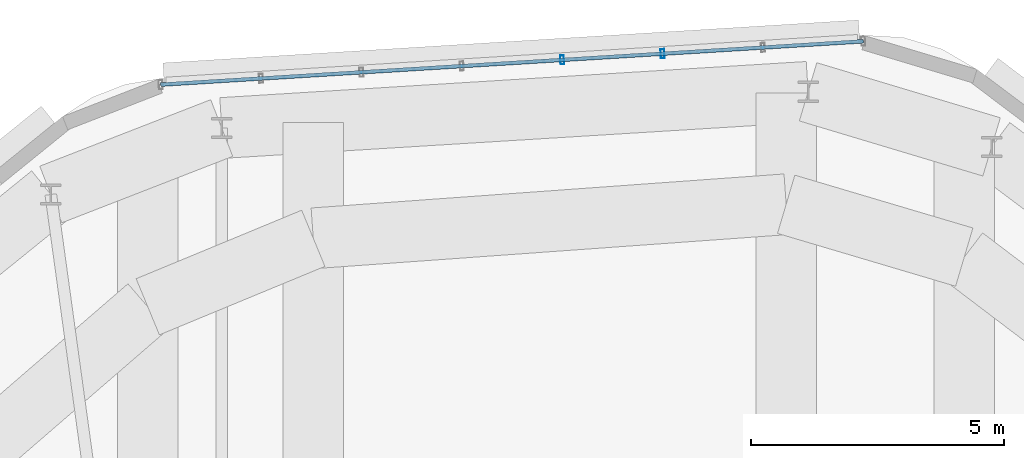
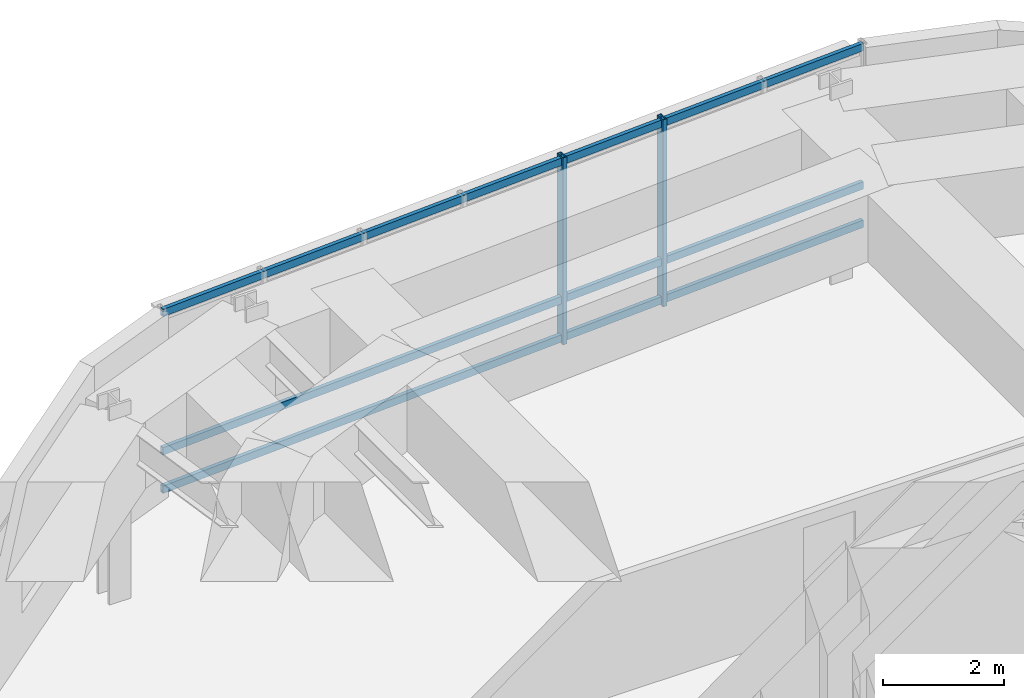
# One storey, part 11 of 17: 5 members, 1 element without a shape of its own.
"""IFC4 building model written with IfcOpenShell, lengths in metres."""

import ifcopenshell
import ifcopenshell.guid

model = None  # the IFC model being written
_history = None  # IfcOwnerHistory: only IFC2X3 demands one
_inside = {}  # id of a spatial element -> (the spatial element, [elements in it])
_under = {}  # id of a project, library or spatial element -> (it, [spatial elements below it])
_declared = {}  # id of a project -> (the project, [libraries it declares])
_typed = {}  # id of a type object -> (the type object, [elements of that type])
_made_of = {}  # id of a material, layer set ... -> (it, [elements and type objects made of it])


def new_model(schema):
    """Start an empty IFC model of exactly this schema.

    Asked for "IFC4X3", IfcOpenShell would pick the latest addendum, in which some entities
    have other attributes; the version numbers below select the first issue.
    IFC2X3 requires an IfcOwnerHistory on every rooted entity: one is made here for all.
    """
    global model, _history
    if schema == "IFC4X3":
        model = ifcopenshell.file(schema_version=(4, 3, 0, 0))
    else:
        model = ifcopenshell.file(schema=schema)
    _inside.clear()
    _under.clear()
    _declared.clear()
    _typed.clear()
    _made_of.clear()
    _history = None
    if model.schema == "IFC2X3":
        org = make("IfcOrganization", Name="unknown")
        user = make(
            "IfcPersonAndOrganization",
            ThePerson=make("IfcPerson", FamilyName="unknown"),
            TheOrganization=org,
        )
        app = make(
            "IfcApplication",
            ApplicationDeveloper=org,
            Version="unknown",
            ApplicationFullName="unknown",
            ApplicationIdentifier="unknown",
        )
        _history = make(
            "IfcOwnerHistory",
            OwningUser=user,
            OwningApplication=app,
            ChangeAction="ADDED",
            CreationDate=0,
        )
    return model


def make(cls, **values):
    """One entity of the class cls with the attributes given. An attribute that is None is left unset."""
    return model.create_entity(
        cls, **{name: value for name, value in values.items() if value is not None}
    )


def rooted(cls, **values):
    """An entity with a GlobalId (a new one), such as an element, a storey or a relation."""
    return make(cls, GlobalId=ifcopenshell.guid.new(), OwnerHistory=_history, **values)


def si_unit(unit_type, name, prefix=None):
    """IfcSIUnit, for example si_unit("LENGTHUNIT", "METRE", prefix="MILLI")."""
    return make("IfcSIUnit", UnitType=unit_type, Prefix=prefix, Name=name)


def assignment(units):
    """IfcUnitAssignment: the units of a project."""
    return None if units is None else make("IfcUnitAssignment", Units=units)


def point(xyz):
    """IfcCartesianPoint."""
    return None if xyz is None else make("IfcCartesianPoint", Coordinates=xyz)


def direction(xyz):
    """IfcDirection."""
    return None if xyz is None else make("IfcDirection", DirectionRatios=xyz)


def frame(location, z_axis=None, x_axis=None):
    """IfcAxis2Placement3D, a coordinate frame: its origin and axes. An axis left out is left unset."""
    return make(
        "IfcAxis2Placement3D",
        Location=point(location),
        Axis=direction(z_axis),
        RefDirection=direction(x_axis),
    )


def frame_2d(location, x_axis=None):
    """IfcAxis2Placement2D, a coordinate frame in the plane: its origin and x axis."""
    return make(
        "IfcAxis2Placement2D", Location=point(location), RefDirection=direction(x_axis)
    )


def origin():
    """The frame at (0, 0, 0) with its axes left unset."""
    return frame((0.0, 0.0, 0.0))


def origin_2d():
    """The frame at (0, 0) in the plane with its x axis left unset."""
    return frame_2d((0.0, 0.0))


def place(relative_to, where):
    """IfcLocalPlacement: puts the frame where relative to a parent placement (None: the world)."""
    return make(
        "IfcLocalPlacement", PlacementRelTo=relative_to, RelativePlacement=where
    )


def context(
    kind, dimensions, precision=None, world=None, true_north=None, identifier=None
):
    """IfcGeometricRepresentationContext, for example the 3D "Model" context."""
    return make(
        "IfcGeometricRepresentationContext",
        ContextIdentifier=identifier,
        ContextType=kind,
        CoordinateSpaceDimension=dimensions,
        Precision=precision,
        WorldCoordinateSystem=world,
        TrueNorth=true_north,
    )


def subcontext(parent, identifier, kind, view, scale=None):
    """IfcGeometricRepresentationSubContext, for example "Body" below "Model"."""
    return make(
        "IfcGeometricRepresentationSubContext",
        ContextIdentifier=identifier,
        ContextType=kind,
        ParentContext=parent,
        TargetScale=scale,
        TargetView=view,
    )


def project(units=None, contexts=None):
    """IfcProject with its units and contexts."""
    return rooted(
        "IfcProject",
        Name="project",
        RepresentationContexts=contexts,
        UnitsInContext=assignment(units),
    )


def spatial(cls, under=None, at=None, **own):
    """A site, building, storey or space (cls), placed at a placement, below another one or the project."""
    s = rooted(cls, ObjectPlacement=at, **own)
    if under is not None:
        _under.setdefault(under.id(), (under, []))[1].append(s)
    return s


def profile(cls, at=None, kind="AREA", **sizes):
    """A parametric profile (cls). Its sizes go by their IFC names, for example OverallWidth=200.0."""
    return make(cls, ProfileType=kind, Position=at, **sizes)


def hollow_rectangle(**sizes):
    """IfcRectangleHollowProfileDef."""
    return profile("IfcRectangleHollowProfileDef", **sizes)


def extrude(swept, where, along, depth):
    """IfcExtrudedAreaSolid: the profile swept, set in the frame where, extruded along a direction by depth."""
    return make(
        "IfcExtrudedAreaSolid",
        SweptArea=swept,
        Position=where,
        ExtrudedDirection=direction(along),
        Depth=depth,
    )


def shape(context_of_items, identifier, shape_type, items):
    """IfcShapeRepresentation: the items that make up one representation, for example the "Body"."""
    return make(
        "IfcShapeRepresentation",
        ContextOfItems=context_of_items,
        RepresentationIdentifier=identifier,
        RepresentationType=shape_type,
        Items=items,
    )


def material(Name=None, Category=None):
    """IfcMaterial."""
    return make("IfcMaterial", Name=Name, Category=Category)


def material_profile(
    of_material, cross_section, Name=None, Category=None, Priority=None
):
    """IfcMaterialProfile: a cross section and its material."""
    return make(
        "IfcMaterialProfile",
        Name=Name,
        Material=of_material,
        Profile=cross_section,
        Priority=Priority,
        Category=Category,
    )


def profile_set(profiles, Name=None, composite=None):
    """IfcMaterialProfileSet."""
    return make(
        "IfcMaterialProfileSet",
        Name=Name,
        MaterialProfiles=profiles,
        CompositeProfile=composite,
    )


def made_of(thing, what):
    """Note that an element or type object is made of a material, layer set ...; save() writes the relation."""
    if what is not None:
        _made_of.setdefault(what.id(), (what, []))[1].append(thing)
    return thing


def type_object(cls, material=None, **own):
    """A type object (cls), such as IfcWallType, which elements share."""
    return made_of(rooted(cls, **own), material)


def element(
    cls,
    number,
    at=None,
    inside=None,
    cuts=None,
    type_object=None,
    material=None,
    context=None,
    identifier="Body",
    shape_type=None,
    held_by="IfcProductDefinitionShape",
    body=None,
    shapes=None,
    **own,
):
    """One element of the class cls, such as IfcWall. Its Tag is "e" and its number.

    at: its placement. inside: the storey or other place that contains it. cuts: it is an
    opening in that element (IfcRelVoidsElement). A single representation is given by context,
    identifier, shape_type and body (its items); several are given by shapes. held_by: the class
    of the entity that holds the representations. save() writes the other relations.
    """
    e = rooted(cls, Tag="e%d" % number, ObjectPlacement=at, **own)
    if body is not None:
        shapes = [shape(context, identifier, shape_type, body)]
    if shapes is not None:
        e.Representation = make(held_by, Representations=shapes)
    if inside is not None:
        _inside.setdefault(inside.id(), (inside, []))[1].append(e)
    if cuts is not None:
        rooted(
            "IfcRelVoidsElement", RelatingBuildingElement=cuts, RelatedOpeningElement=e
        )
    if type_object is not None:
        _typed.setdefault(type_object.id(), (type_object, []))[1].append(e)
    return made_of(e, material)


def aggregate(whole, parts):
    """IfcRelAggregates: a whole, such as a stair, and the parts it consists of."""
    return rooted("IfcRelAggregates", RelatingObject=whole, RelatedObjects=parts)


def save(model, path):
    """Write the relations noted so far, then the file.

    IfcRelAggregates (storeys below a building ...), IfcRelContainedInSpatialStructure (elements
    in a storey), IfcRelDefinesByType, IfcRelAssociatesMaterial and IfcRelDeclares: one each for
    every whole, place, type object, material and project.
    """
    for whole, parts in _under.values():
        aggregate(whole, parts)
    for where, things in _inside.values():
        rooted(
            "IfcRelContainedInSpatialStructure",
            RelatedElements=things,
            RelatingStructure=where,
        )
    for kind, things in _typed.values():
        rooted("IfcRelDefinesByType", RelatedObjects=things, RelatingType=kind)
    for what, things in _made_of.values():
        rooted("IfcRelAssociatesMaterial", RelatedObjects=things, RelatingMaterial=what)
    for by, libraries in _declared.values():
        rooted("IfcRelDeclares", RelatingContext=by, RelatedDefinitions=libraries)
    model.write(path)


model = new_model("IFC4")

# Units and contexts
model_context = context("Model", 3, precision=1e-05, world=origin(), true_north=direction((0.0, 1.0)))
body_context = subcontext(model_context, "Body", "Model", "MODEL_VIEW")
ifc_project = project(units=[si_unit("LENGTHUNIT", "METRE"), si_unit("AREAUNIT", "SQUARE_METRE"), si_unit("VOLUMEUNIT", "CUBIC_METRE"), si_unit("PLANEANGLEUNIT", "RADIAN"), si_unit("MASSUNIT", "GRAM", prefix="KILO")], contexts=[model_context])

# Site, building, storey
site_placement = place(None, origin())
site = spatial("IfcSite", under=ifc_project, at=site_placement, CompositionType="ELEMENT")
building_placement = place(site_placement, origin())
building = spatial("IfcBuilding", under=site, at=building_placement, Name="Zulverin Broadcast Headquarters", CompositionType="ELEMENT")
storey_placement = place(building_placement, frame((0.0, 0.0, 317.39990234375)))
storey = spatial("IfcBuildingStorey", under=building, at=storey_placement, Name="C2", CompositionType="ELEMENT", Elevation=317.39990234375)

# Curtain wall, members
ifc_material_1 = material(Name="Crown damper-hall structural glass curtain wall", Category="glass")
curtain_wall_type = type_object("IfcCurtainWallType", Name="CW-CRN", PredefinedType="USERDEFINED", material=ifc_material_1)
curtain_wall_placement = place(storey_placement, origin())
curtain_wall = element("IfcCurtainWall", 1, at=curtain_wall_placement, inside=storey, type_object=curtain_wall_type, Name="C2 Unitised Curtain Wall CW-C2-E5", ObjectType="UNITISED CURTAIN WALL", PredefinedType="USERDEFINED")
ifc_material_2 = material(Name="Anodized pale-metal aluminium alloy 6063-T6", Category="aluminium")
ifc_material_profile_1 = material_profile(ifc_material_2, hollow_rectangle(XDim=0.074951171875, YDim=0.179931640625, WallThickness=0.0048828125, at=origin_2d()), Name="Anodized pale-metal aluminium alloy 6063-T6", Category="aluminium")
ifc_profile_set_1 = profile_set([ifc_material_profile_1], Name="Anodized pale-metal aluminium alloy 6063-T6")
member_type_1 = type_object("IfcMemberType", Name="CW-MUL-180", PredefinedType="MULLION", material=ifc_profile_set_1)
member_1_placement = place(storey_placement, frame((41.748046875, 44.55859375, -0.02978515625), z_axis=(0.0, 0.0, 1.0), x_axis=(-0.998102804121, -0.061569411283, 0.0)))
member_1 = element("IfcMember", 2, at=member_1_placement, type_object=member_type_1, Name="CW-C2-E5 Mullion 02", PredefinedType="MULLION", context=body_context, shape_type="SweptSolid", body=[
    extrude(hollow_rectangle(XDim=0.074951171875, YDim=0.179931640625, WallThickness=0.0048828125, at=origin_2d()), origin(), (0.0, 0.0, 1.0), 3.77978515625),
])
member_2_placement = place(storey_placement, frame((39.765625, 44.436279296875, -0.02978515625), z_axis=(0.0, 0.0, 1.0), x_axis=(-0.998102804121, -0.061569411283, 0.0)))
member_2 = element("IfcMember", 3, at=member_2_placement, type_object=member_type_1, Name="CW-C2-E5 Mullion 03", PredefinedType="MULLION", context=body_context, shape_type="SweptSolid", body=[
    extrude(hollow_rectangle(XDim=0.074951171875, YDim=0.179931640625, WallThickness=0.0048828125, at=origin_2d()), origin(), (0.0, 0.0, 1.0), 3.77978515625),
])
ifc_material_profile_2 = material_profile(ifc_material_2, hollow_rectangle(XDim=0.074951171875, YDim=0.14990234375, WallThickness=0.0048828125, at=origin_2d()), Name="Anodized pale-metal aluminium alloy 6063-T6", Category="aluminium")
ifc_profile_set_2 = profile_set([ifc_material_profile_2], Name="Anodized pale-metal aluminium alloy 6063-T6")
member_type_2 = type_object("IfcMemberType", Name="CW-TRN-150", PredefinedType="USERDEFINED", material=ifc_profile_set_2)
member_3_placement = place(storey_placement, frame((45.712890625, 44.802978515625, 0.0751953125), z_axis=(-0.998103015307, -0.061565987643, 0.0), x_axis=(0.061565987643, -0.998103015307, 0.0)))
member_3 = element("IfcMember", 4, at=member_3_placement, type_object=member_type_2, Name="CW-C2-E5 Transom 0", ObjectType="TRANSOM", PredefinedType="USERDEFINED", context=body_context, shape_type="SweptSolid", body=[
    extrude(hollow_rectangle(XDim=0.074951171875, YDim=0.14990234375, WallThickness=0.0048828125, at=origin_2d()), origin(), (0.0, 0.0, 1.0), 13.903076171875),
])
member_4_placement = place(storey_placement, frame((45.712890625, 44.802978515625, 0.85009765625), z_axis=(-0.998103015307, -0.061565987643, 0.0), x_axis=(0.061565987643, -0.998103015307, 0.0)))
member_4 = element("IfcMember", 5, at=member_4_placement, type_object=member_type_2, Name="CW-C2-E5 Transom 1", ObjectType="TRANSOM", PredefinedType="USERDEFINED", context=body_context, shape_type="SweptSolid", body=[
    extrude(hollow_rectangle(XDim=0.074951171875, YDim=0.14990234375, WallThickness=0.0048828125, at=origin_2d()), origin(), (0.0, 0.0, 1.0), 13.903076171875),
])
member_5_placement = place(storey_placement, frame((45.712890625, 44.802978515625, 3.64501953125), z_axis=(-0.998103015307, -0.061565987643, 0.0), x_axis=(0.061565987643, -0.998103015307, 0.0)))
member_5 = element("IfcMember", 6, at=member_5_placement, type_object=member_type_2, Name="CW-C2-E5 Transom 2", ObjectType="TRANSOM", PredefinedType="USERDEFINED", context=body_context, shape_type="SweptSolid", body=[
    extrude(hollow_rectangle(XDim=0.074951171875, YDim=0.14990234375, WallThickness=0.0048828125, at=origin_2d()), origin(), (0.0, 0.0, 1.0), 13.903076171875),
])
aggregate(curtain_wall, [member_1, member_2, member_3, member_4, member_5])

save(model, "model.ifc")
